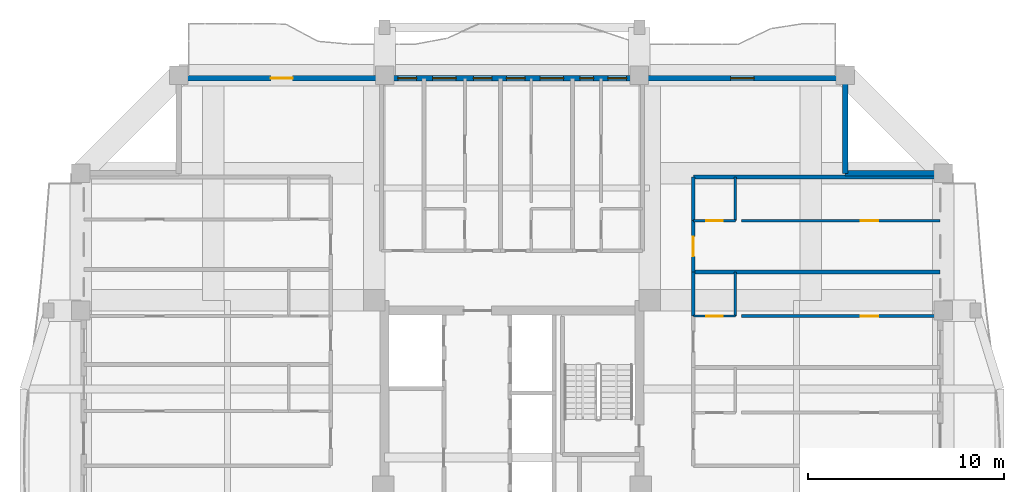
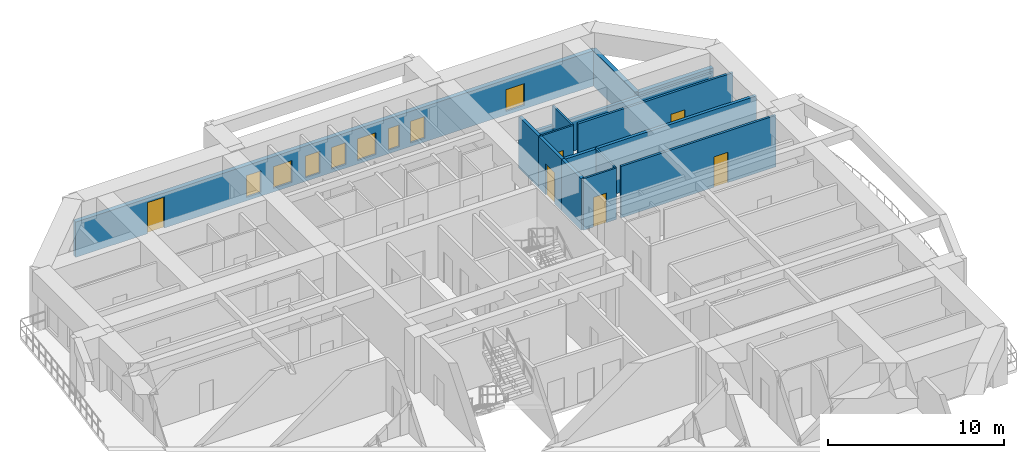
# One storey, part 8 of 15: 14 walls, 8 windows, 6 doors, 14 openings.
"""IFC4 building model written with IfcOpenShell, lengths in metres."""

from ifc_helpers import new_model, si_unit, direction, frame, frame_2d, origin, place, context, subcontext, project, spatial, rectangle, extrude, source, transform, mapped, material, layer, layer_set, type_object, element, fill, save


model = new_model("IFC4")

# Units and contexts
model_context = context("Model", 3, precision=1e-05, world=origin(), true_north=direction((0.0, 1.0)))
body_context = subcontext(model_context, "Body", "Model", "MODEL_VIEW")
ifc_project = project(units=[si_unit("LENGTHUNIT", "METRE"), si_unit("AREAUNIT", "SQUARE_METRE"), si_unit("VOLUMEUNIT", "CUBIC_METRE"), si_unit("PLANEANGLEUNIT", "RADIAN"), si_unit("MASSUNIT", "GRAM", prefix="KILO")], contexts=[model_context])

# Site, building, storey
site_placement = place(None, origin())
site = spatial("IfcSite", under=ifc_project, at=site_placement, CompositionType="ELEMENT")
building_placement = place(site_placement, origin())
building = spatial("IfcBuilding", under=site, at=building_placement, Name="Saelheon Loggia Tower", CompositionType="ELEMENT")
storey_placement = place(building_placement, frame((0.0, 0.0, 169.0)))
storey = spatial("IfcBuildingStorey", under=building, at=storey_placement, Name="L53", CompositionType="ELEMENT", Elevation=169.0)

# Wall, openings, windows, door
ifc_material_1 = material(Name="Architectural Precast Concrete C40/50", Category="concrete")
ifc_layer_1 = layer(ifc_material_1, 0.280029296875)
ifc_layer_set_1 = layer_set([ifc_layer_1], Name="Architectural Precast Concrete C40/50")
wall_type_1 = type_object("IfcWallType", Name="Wall_Ext_Loggia_280", PredefinedType="SOLIDWALL", material=ifc_layer_set_1)
wall_1_placement = place(storey_placement, frame((21.0, 47.860107421875, 0.0), z_axis=(0.0, 0.0, 1.0), x_axis=(1.0, 0.0, 0.0)))
wall_1 = element("IfcWall", 1, at=wall_1_placement, inside=storey, type_object=wall_type_1, Name="L53 North Loggia Inner Wall", PredefinedType="SOLIDWALL", context=body_context, shape_type="SweptSolid", body=[
    extrude(rectangle(XDim=34.0, YDim=0.280029296875, at=frame_2d((17.0, 0.0))), origin(), (0.0, 0.0, 1.0), 2.43994140625),
])
opening_1_placement = place(wall_1_placement, frame((4.699951171875, 0.0, 0.0)))
opening_1 = element("IfcOpeningElement", 2, at=opening_1_placement, cuts=wall_1, Name="Opening TD1", PredefinedType="OPENING", context=body_context, shape_type="SweptSolid", body=[
    extrude(rectangle(XDim=1.10009765625, YDim=2.14990234375, at=frame_2d((0.550048828125, 1.074951171875))), frame((0.0, 0.152099609375, 0.0), z_axis=(0.0, -1.0, 0.0), x_axis=(1.0, 0.0, 0.0)), (0.0, 0.0, 1.0), 0.303955078125),
])
opening_2_placement = place(wall_1_placement, frame((11.1826171875, 0.0, 0.25)))
opening_2 = element("IfcOpeningElement", 3, at=opening_2_placement, cuts=wall_1, Name="Opening WN-04", PredefinedType="OPENING", context=body_context, shape_type="SweptSolid", body=[
    extrude(rectangle(XDim=0.949951171875, YDim=1.5, at=frame_2d((0.47509765625, 0.75))), frame((0.0, 0.152099609375, 0.0), z_axis=(0.0, -1.0, 0.0), x_axis=(1.0, 0.0, 0.0)), (0.0, 0.0, 1.0), 0.303955078125),
])
opening_3_placement = place(wall_1_placement, frame((12.949951171875, 0.0, 0.25)))
opening_3 = element("IfcOpeningElement", 4, at=opening_3_placement, cuts=wall_1, Name="Opening WN-03", PredefinedType="OPENING", context=body_context, shape_type="SweptSolid", body=[
    extrude(rectangle(XDim=1.199951171875, YDim=1.5, at=frame_2d((0.60009765625, 0.75))), frame((0.0, 0.152099609375, 0.0), z_axis=(0.0, -1.0, 0.0), x_axis=(1.0, 0.0, 0.0)), (0.0, 0.0, 1.0), 0.303955078125),
])
opening_4_placement = place(wall_1_placement, frame((15.0263671875, 0.0, 0.25)))
opening_4 = element("IfcOpeningElement", 5, at=opening_4_placement, cuts=wall_1, Name="Opening WN-04", PredefinedType="OPENING", context=body_context, shape_type="SweptSolid", body=[
    extrude(rectangle(XDim=0.949951171875, YDim=1.5, at=frame_2d((0.47509765625, 0.75))), frame((0.0, 0.152099609375, 0.0), z_axis=(0.0, -1.0, 0.0), x_axis=(1.0, 0.0, 0.0)), (0.0, 0.0, 1.0), 0.303955078125),
])
opening_5_placement = place(wall_1_placement, frame((16.71728515625, 0.0, 0.25)))
opening_5 = element("IfcOpeningElement", 6, at=opening_5_placement, cuts=wall_1, Name="Opening WN-04", PredefinedType="OPENING", context=body_context, shape_type="SweptSolid", body=[
    extrude(rectangle(XDim=0.949951171875, YDim=1.5, at=frame_2d((0.47509765625, 0.75))), frame((0.0, 0.152099609375, 0.0), z_axis=(0.0, -1.0, 0.0), x_axis=(1.0, 0.0, 0.0)), (0.0, 0.0, 1.0), 0.303955078125),
])
opening_6_placement = place(wall_1_placement, frame((18.431884765625, 0.0, 0.25)))
opening_6 = element("IfcOpeningElement", 7, at=opening_6_placement, cuts=wall_1, Name="Opening WN-03", PredefinedType="OPENING", context=body_context, shape_type="SweptSolid", body=[
    extrude(rectangle(XDim=1.199951171875, YDim=1.5, at=frame_2d((0.60009765625, 0.75))), frame((0.0, 0.152099609375, 0.0), z_axis=(0.0, -1.0, 0.0), x_axis=(1.0, 0.0, 0.0)), (0.0, 0.0, 1.0), 0.303955078125),
])
opening_7_placement = place(wall_1_placement, frame((20.466064453125, 0.0, 0.25)))
opening_7 = element("IfcOpeningElement", 8, at=opening_7_placement, cuts=wall_1, Name="Opening WN-06", PredefinedType="OPENING", context=body_context, shape_type="SweptSolid", body=[
    extrude(rectangle(XDim=0.699951171875, YDim=1.5, at=frame_2d((0.35009765625, 0.75))), frame((0.0, 0.152099609375, 0.0), z_axis=(0.0, -1.0, 0.0), x_axis=(1.0, 0.0, 0.0)), (0.0, 0.0, 1.0), 0.303955078125),
])
opening_8_placement = place(wall_1_placement, frame((21.892578125, 0.0, 0.25)))
opening_8 = element("IfcOpeningElement", 9, at=opening_8_placement, cuts=wall_1, Name="Opening WN-04", PredefinedType="OPENING", context=body_context, shape_type="SweptSolid", body=[
    extrude(rectangle(XDim=0.949951171875, YDim=1.5, at=frame_2d((0.47509765625, 0.75))), frame((0.0, 0.152099609375, 0.0), z_axis=(0.0, -1.0, 0.0), x_axis=(1.0, 0.0, 0.0)), (0.0, 0.0, 1.0), 0.303955078125),
])
opening_9_placement = place(wall_1_placement, frame((28.14990234375, 0.0, 0.25)))
opening_9 = element("IfcOpeningElement", 10, at=opening_9_placement, cuts=wall_1, Name="Opening WN-03", PredefinedType="OPENING", context=body_context, shape_type="SweptSolid", body=[
    extrude(rectangle(XDim=1.199951171875, YDim=1.5, at=frame_2d((0.60009765625, 0.75))), frame((0.0, 0.152099609375, 0.0), z_axis=(0.0, -1.0, 0.0), x_axis=(1.0, 0.0, 0.0)), (0.0, 0.0, 1.0), 0.303955078125),
])
ifc_material_2 = material(Name="Thermal-Break Aluminium and Triple Low-E Glass", Category="aluminium")
window_type_1 = type_object("IfcWindowType", Name="Win_Slot_700x1500", PartitioningType="SINGLE_PANEL", PredefinedType="WINDOW", material=ifc_material_2)
shared_shape_1 = source(origin(), body_context, "Body", "SweptSolid", [
    extrude(rectangle(XDim=0.699951171875, YDim=1.5, at=frame_2d((0.35009765625, 0.75))), frame((0.0, 0.030029296875, 0.0), z_axis=(0.0, -1.0, 0.0), x_axis=(1.0, 0.0, 0.0)), (0.0, 0.0, 1.0), 0.06005859375),
])
window_1_placement = place(opening_7_placement, origin())
window_1 = element("IfcWindow", 11, at=window_1_placement, inside=storey, type_object=window_type_1, Name="L53 N Dwelling Window 7", OverallHeight=1.5, OverallWidth=0.699951171875, PartitioningType="SINGLE_PANEL", PredefinedType="WINDOW", context=body_context, shape_type="MappedRepresentation", body=[
    mapped(shared_shape_1, transform((0.0, 0.0, 0.0), scale=1.0)),
])
fill(opening_7, window_1)
window_type_2 = type_object("IfcWindowType", Name="Win_Bedroom_1200x1500", PartitioningType="SINGLE_PANEL", PredefinedType="WINDOW", material=ifc_material_2)
shared_shape_2 = source(origin(), body_context, "Body", "SweptSolid", [
    extrude(rectangle(XDim=1.199951171875, YDim=1.5, at=frame_2d((0.60009765625, 0.75))), frame((0.0, 0.030029296875, 0.0), z_axis=(0.0, -1.0, 0.0), x_axis=(1.0, 0.0, 0.0)), (0.0, 0.0, 1.0), 0.06005859375),
])
window_2_placement = place(opening_3_placement, origin())
window_2 = element("IfcWindow", 12, at=window_2_placement, inside=storey, type_object=window_type_2, Name="L53 N Dwelling Window 3", OverallHeight=1.5, OverallWidth=1.199951171875, PartitioningType="SINGLE_PANEL", PredefinedType="WINDOW", context=body_context, shape_type="MappedRepresentation", body=[
    mapped(shared_shape_2, transform((0.0, 0.0, 0.0), scale=1.0)),
])
fill(opening_3, window_2)
window_3_placement = place(opening_6_placement, origin())
window_3 = element("IfcWindow", 13, at=window_3_placement, inside=storey, type_object=window_type_2, Name="L53 N Dwelling Window 6", OverallHeight=1.5, OverallWidth=1.199951171875, PartitioningType="SINGLE_PANEL", PredefinedType="WINDOW", context=body_context, shape_type="MappedRepresentation", body=[
    mapped(shared_shape_2, transform((0.0, 0.0, 0.0), scale=1.0)),
])
fill(opening_6, window_3)
window_4_placement = place(opening_9_placement, origin())
window_4 = element("IfcWindow", 14, at=window_4_placement, inside=storey, type_object=window_type_2, Name="L53 N Dwelling Window 9", OverallHeight=1.5, OverallWidth=1.199951171875, PartitioningType="SINGLE_PANEL", PredefinedType="WINDOW", context=body_context, shape_type="MappedRepresentation", body=[
    mapped(shared_shape_2, transform((0.0, 0.0, 0.0), scale=1.0)),
])
fill(opening_9, window_4)
ifc_material_3 = material(Name="Thermal-Break Aluminium Glazed Door", Category="aluminium")
door_type_1 = type_object("IfcDoorType", Name="Door_Terrace_TD1", OperationType="NOTDEFINED", PredefinedType="DOOR", material=ifc_material_3)
shared_shape_3 = source(origin(), body_context, "Body", "SweptSolid", [
    extrude(rectangle(XDim=1.10009765625, YDim=2.14990234375, at=frame_2d((0.550048828125, 1.074951171875))), frame((0.0, 0.02490234375, 0.0), z_axis=(0.0, -1.0, 0.0), x_axis=(1.0, 0.0, 0.0)), (0.0, 0.0, 1.0), 0.050048828125),
])
door_1_placement = place(opening_1_placement, origin())
door_1 = element("IfcDoor", 15, at=door_1_placement, inside=storey, type_object=door_type_1, Name="L53 N Loggia Access Door", OperationType="SINGLE_SWING_LEFT", OverallHeight=2.14990234375, OverallWidth=1.10009765625, PredefinedType="DOOR", context=body_context, shape_type="MappedRepresentation", body=[
    mapped(shared_shape_3, transform((0.0, 0.0, 0.0), scale=1.0)),
])
fill(opening_1, door_1)
window_type_3 = type_object("IfcWindowType", Name="Win_Narrow_950x1500", PartitioningType="SINGLE_PANEL", PredefinedType="WINDOW", material=ifc_material_2)
shared_shape_4 = source(origin(), body_context, "Body", "SweptSolid", [
    extrude(rectangle(XDim=0.949951171875, YDim=1.5, at=frame_2d((0.47509765625, 0.75))), frame((0.0, 0.030029296875, 0.0), z_axis=(0.0, -1.0, 0.0), x_axis=(1.0, 0.0, 0.0)), (0.0, 0.0, 1.0), 0.06005859375),
])
window_5_placement = place(opening_2_placement, origin())
window_5 = element("IfcWindow", 16, at=window_5_placement, inside=storey, type_object=window_type_3, Name="L53 N Dwelling Window 2", OverallHeight=1.5, OverallWidth=0.949951171875, PartitioningType="SINGLE_PANEL", PredefinedType="WINDOW", context=body_context, shape_type="MappedRepresentation", body=[
    mapped(shared_shape_4, transform((0.0, 0.0, 0.0), scale=1.0)),
])
fill(opening_2, window_5)
window_6_placement = place(opening_4_placement, origin())
window_6 = element("IfcWindow", 17, at=window_6_placement, inside=storey, type_object=window_type_3, Name="L53 N Dwelling Window 4", OverallHeight=1.5, OverallWidth=0.949951171875, PartitioningType="SINGLE_PANEL", PredefinedType="WINDOW", context=body_context, shape_type="MappedRepresentation", body=[
    mapped(shared_shape_4, transform((0.0, 0.0, 0.0), scale=1.0)),
])
fill(opening_4, window_6)
window_7_placement = place(opening_5_placement, origin())
window_7 = element("IfcWindow", 18, at=window_7_placement, inside=storey, type_object=window_type_3, Name="L53 N Dwelling Window 5", OverallHeight=1.5, OverallWidth=0.949951171875, PartitioningType="SINGLE_PANEL", PredefinedType="WINDOW", context=body_context, shape_type="MappedRepresentation", body=[
    mapped(shared_shape_4, transform((0.0, 0.0, 0.0), scale=1.0)),
])
fill(opening_5, window_7)
window_8_placement = place(opening_8_placement, origin())
window_8 = element("IfcWindow", 19, at=window_8_placement, inside=storey, type_object=window_type_3, Name="L53 N Dwelling Window 8", OverallHeight=1.5, OverallWidth=0.949951171875, PartitioningType="SINGLE_PANEL", PredefinedType="WINDOW", context=body_context, shape_type="MappedRepresentation", body=[
    mapped(shared_shape_4, transform((0.0, 0.0, 0.0), scale=1.0)),
])
fill(opening_8, window_8)

# Walls
for number, where, z_axis, x_axis, name in (
    (20, (55.0, 43.0, 0.0), (0.0, 0.0, 1.0), (0.0, 1.0, 0.0), "L53 Corner Notch Precast Wall NE1"),
    (21, (55.0, 43.0, 0.0), (0.0, 0.0, 1.0), (1.0, 0.0, 0.0), "L53 Corner Notch Precast Wall NE2"),
):
    element("IfcWall", number, at=place(storey_placement, frame(where, z_axis=z_axis, x_axis=x_axis)), inside=storey, type_object=wall_type_1, Name=name, PredefinedType="SOLIDWALL", context=body_context, shape_type="SweptSolid", body=[
        extrude(rectangle(XDim=4.919921875, YDim=0.280029296875, at=frame_2d((2.4599609375, 0.0))), origin(), (0.0, 0.0, 1.0), 2.43994140625),
    ])

# Wall, opening, door
ifc_material_4 = material(Name="Lightweight Autoclaved Aerated Concrete Block and Acoustic Gypsum", Category="concrete")
ifc_layer_2 = layer(ifc_material_4, 0.14990234375)
ifc_layer_set_2 = layer_set([ifc_layer_2], Name="Lightweight Autoclaved Aerated Concrete Block and Acoustic Gypsum")
wall_type_2 = type_object("IfcWallType", Name="Wall_Part_150", PredefinedType="PARTITIONING", material=ifc_layer_set_2)
wall_2_placement = place(storey_placement, frame((49.7099609375, 35.719970703125, 0.0), z_axis=(0.0, 0.0, 1.0), x_axis=(1.0, 0.0, 0.0)))
wall_2 = element("IfcWall", 22, at=wall_2_placement, inside=storey, type_object=wall_type_2, Name="L53 EN Partition U13", PredefinedType="PARTITIONING", context=body_context, shape_type="SweptSolid", body=[
    extrude(rectangle(XDim=10.14013671875, YDim=0.14990234375, at=frame_2d((5.070068359375, 0.0))), origin(), (0.0, 0.0, 1.0), 3.56005859375),
])
opening_10_placement = place(wall_2_placement, frame((6.080078125, 0.0, 0.0)))
opening_10 = element("IfcOpeningElement", 23, at=opening_10_placement, cuts=wall_2, Name="Opening D-IN2", PredefinedType="OPENING", context=body_context, shape_type="SweptSolid", body=[
    extrude(rectangle(XDim=0.89990234375, YDim=2.10009765625, at=frame_2d((0.449951171875, 1.050048828125))), frame((0.0, 0.0869140625, 0.0), z_axis=(0.0, -1.0, 0.0), x_axis=(1.0, 0.0, 0.0)), (0.0, 0.0, 1.0), 0.173828125),
])
ifc_material_5 = material(Name="Engineered Oak Flush Door", Category="timber")
door_type_2 = type_object("IfcDoorType", Name="Door_Int_900", OperationType="NOTDEFINED", PredefinedType="DOOR", material=ifc_material_5)
shared_shape_5 = source(origin(), body_context, "Body", "SweptSolid", [
    extrude(rectangle(XDim=0.89990234375, YDim=2.10009765625, at=frame_2d((0.449951171875, 1.050048828125))), frame((0.0, 0.02490234375, 0.0), z_axis=(0.0, -1.0, 0.0), x_axis=(1.0, 0.0, 0.0)), (0.0, 0.0, 1.0), 0.050048828125),
])
door_2_placement = place(opening_10_placement, origin())
door_2 = element("IfcDoor", 24, at=door_2_placement, inside=storey, type_object=door_type_2, Name="Unit U17 Kitchen Door", OperationType="SINGLE_SWING_LEFT", OverallHeight=2.10009765625, OverallWidth=0.89990234375, PredefinedType="DOOR", context=body_context, shape_type="MappedRepresentation", body=[
    mapped(shared_shape_5, transform((0.0, 0.0, 0.0), scale=1.0)),
])
fill(opening_10, door_2)

wall_3_placement = place(storey_placement, frame((49.7099609375, 40.58251953125, 0.0), z_axis=(0.0, 0.0, 1.0), x_axis=(1.0, 0.0, 0.0)))
wall_3 = element("IfcWall", 25, at=wall_3_placement, inside=storey, type_object=wall_type_2, Name="L53 EN Partition U19", PredefinedType="PARTITIONING", context=body_context, shape_type="SweptSolid", body=[
    extrude(rectangle(XDim=10.14013671875, YDim=0.14990234375, at=frame_2d((5.070068359375, 0.0))), origin(), (0.0, 0.0, 1.0), 3.56005859375),
])
opening_11_placement = place(wall_3_placement, frame((6.080078125, 0.0, 0.0)))
opening_11 = element("IfcOpeningElement", 26, at=opening_11_placement, cuts=wall_3, Name="Opening D-IN2", PredefinedType="OPENING", context=body_context, shape_type="SweptSolid", body=[
    extrude(rectangle(XDim=0.89990234375, YDim=2.10009765625, at=frame_2d((0.449951171875, 1.050048828125))), frame((0.0, 0.0869140625, 0.0), z_axis=(0.0, -1.0, 0.0), x_axis=(1.0, 0.0, 0.0)), (0.0, 0.0, 1.0), 0.173828125),
])
door_3_placement = place(opening_11_placement, origin())
door_3 = element("IfcDoor", 27, at=door_3_placement, inside=storey, type_object=door_type_2, Name="Unit U18 Kitchen Door", OperationType="SINGLE_SWING_RIGHT", OverallHeight=2.10009765625, OverallWidth=0.89990234375, PredefinedType="DOOR", context=body_context, shape_type="MappedRepresentation", body=[
    mapped(shared_shape_5, transform((0.0, 0.0, 0.0), scale=1.0)),
])
fill(opening_11, door_3)

# Walls
ifc_material_6 = material(Name="Double Acoustic Stud and Fireboard Partition", Category="gypsum")
ifc_layer_3 = layer(ifc_material_6, 0.199951171875)
ifc_layer_set_3 = layer_set([ifc_layer_3], Name="Double Acoustic Stud and Fireboard Partition")
wall_type_3 = type_object("IfcWallType", Name="Wall_Party_200", PredefinedType="PARTITIONING", material=ifc_layer_set_3)
wall_4_placement = place(storey_placement, frame((47.25, 42.820068359375, 0.0), z_axis=(0.0, 0.0, 1.0), x_axis=(1.0, 0.0, 0.0)))
element("IfcWall", 28, at=wall_4_placement, inside=storey, type_object=wall_type_3, Name="L53 EN Partition U02", PredefinedType="PARTITIONING", context=body_context, shape_type="SweptSolid", body=[
    extrude(rectangle(XDim=12.60009765625, YDim=0.199951171875, at=frame_2d((6.300048828125, 0.0))), origin(), (0.0, 0.0, 1.0), 2.239990234375),
])
wall_5_placement = place(storey_placement, frame((47.25, 35.719970703125, 0.0), z_axis=(0.0, 0.0, 1.0), x_axis=(0.0, 1.0, 0.0)))
element("IfcWall", 29, at=wall_5_placement, inside=storey, type_object=wall_type_3, Name="L53 EN Partition V10", PredefinedType="PARTITIONING", context=body_context, shape_type="SweptSolid", body=[
    extrude(rectangle(XDim=2.23583984375, YDim=0.199951171875, at=frame_2d((1.117919921875, 0.0))), origin(), (0.0, 0.0, 1.0), 3.56005859375),
])
wall_6_placement = place(storey_placement, frame((47.25, 37.955810546875, 0.0), z_axis=(0.0, 0.0, 1.0), x_axis=(1.0, 0.0, 0.0)))
element("IfcWall", 30, at=wall_6_placement, inside=storey, type_object=wall_type_3, Name="L53 EN Partition U14", PredefinedType="PARTITIONING", context=body_context, shape_type="SweptSolid", body=[
    extrude(rectangle(XDim=12.60009765625, YDim=0.199951171875, at=frame_2d((6.300048828125, 0.0))), origin(), (0.0, 0.0, 1.0), 3.56005859375),
])

# Wall, opening, door
wall_7_placement = place(storey_placement, frame((47.25, 37.955810546875, 0.0), z_axis=(0.0, 0.0, 1.0), x_axis=(0.0, 1.0, 0.0)))
wall_7 = element("IfcWall", 31, at=wall_7_placement, inside=storey, type_object=wall_type_3, Name="L53 EN Partition V15", PredefinedType="PARTITIONING", context=body_context, shape_type="SweptSolid", body=[
    extrude(rectangle(XDim=2.626708984375, YDim=0.199951171875, at=frame_2d((1.3134765625, 0.0))), origin(), (0.0, 0.0, 1.0), 3.56005859375),
])
opening_12_placement = place(wall_7_placement, frame((0.813232421875, 0.0, 0.0)))
opening_12 = element("IfcOpeningElement", 32, at=opening_12_placement, cuts=wall_7, Name="Opening D-FD1", PredefinedType="OPENING", context=body_context, shape_type="SweptSolid", body=[
    extrude(rectangle(XDim=1.0, YDim=2.14990234375, at=frame_2d((0.5, 1.074951171875))), frame((0.0, 0.112060546875, 0.0), z_axis=(0.0, -1.0, 0.0), x_axis=(1.0, 0.0, 0.0)), (0.0, 0.0, 1.0), 0.223876953125),
])
ifc_material_7 = material(Name="Fire-Rated Engineered Timber Entrance Door", Category="wood")
door_type_3 = type_object("IfcDoorType", Name="Door_Flat_FD30S", OperationType="NOTDEFINED", PredefinedType="DOOR", material=ifc_material_7)
shared_shape_6 = source(origin(), body_context, "Body", "SweptSolid", [
    extrude(rectangle(XDim=1.0, YDim=2.14990234375, at=frame_2d((0.5, 1.074951171875))), frame((0.0, 0.02490234375, 0.0), z_axis=(0.0, -1.0, 0.0), x_axis=(1.0, 0.0, 0.0)), (0.0, 0.0, 1.0), 0.050048828125),
])
door_4_placement = place(opening_12_placement, origin())
door_4 = element("IfcDoor", 33, at=door_4_placement, inside=storey, type_object=door_type_3, Name="Unit U18 Entrance Door", OperationType="SINGLE_SWING_RIGHT", OverallHeight=2.14990234375, OverallWidth=1.0, PredefinedType="DOOR", context=body_context, shape_type="MappedRepresentation", body=[
    mapped(shared_shape_6, transform((0.0, 0.0, 0.0), scale=1.0)),
])
fill(opening_12, door_4)

# Wall
wall_8_placement = place(storey_placement, frame((47.25, 40.58251953125, 0.0), z_axis=(0.0, 0.0, 1.0), x_axis=(0.0, 1.0, 0.0)))
element("IfcWall", 34, at=wall_8_placement, inside=storey, type_object=wall_type_3, Name="L53 EN Partition V16", PredefinedType="PARTITIONING", context=body_context, shape_type="SweptSolid", body=[
    extrude(rectangle(XDim=2.237548828125, YDim=0.199951171875, at=frame_2d((1.11865234375, 0.0))), origin(), (0.0, 0.0, 1.0), 3.56005859375),
])

# Wall, opening, door
ifc_material_8 = material(Name="Moisture-Resistant Cement Board Partition", Category="gypsum")
ifc_layer_4 = layer(ifc_material_8, 0.1201171875)
ifc_layer_set_4 = layer_set([ifc_layer_4], Name="Moisture-Resistant Cement Board Partition")
wall_type_4 = type_object("IfcWallType", Name="Wall_WetPart_120", PredefinedType="PARTITIONING", material=ifc_layer_set_4)
wall_9_placement = place(storey_placement, frame((47.25, 35.719970703125, 0.0), z_axis=(0.0, 0.0, 1.0), x_axis=(1.0, 0.0, 0.0)))
wall_9 = element("IfcWall", 35, at=wall_9_placement, inside=storey, type_object=wall_type_4, Name="L53 EN Partition U11", PredefinedType="PARTITIONING", context=body_context, shape_type="SweptSolid", body=[
    extrude(rectangle(XDim=2.14990234375, YDim=0.1201171875, at=frame_2d((1.074951171875, 0.0))), origin(), (0.0, 0.0, 1.0), 3.56005859375),
])
opening_13_placement = place(wall_9_placement, frame((0.64990234375, 0.0, 0.0)))
opening_13 = element("IfcOpeningElement", 36, at=opening_13_placement, cuts=wall_9, Name="Opening D-BT1", PredefinedType="OPENING", context=body_context, shape_type="SweptSolid", body=[
    extrude(rectangle(XDim=0.85009765625, YDim=2.050048828125, at=frame_2d((0.425048828125, 1.02490234375))), frame((0.0, 0.072021484375, 0.0), z_axis=(0.0, -1.0, 0.0), x_axis=(1.0, 0.0, 0.0)), (0.0, 0.0, 1.0), 0.14404296875),
])
ifc_material_9 = material(Name="Moisture-Resistant Laminate Timber Door", Category="wood")
door_type_4 = type_object("IfcDoorType", Name="Door_Bath_850", OperationType="NOTDEFINED", PredefinedType="DOOR", material=ifc_material_9)
shared_shape_7 = source(origin(), body_context, "Body", "SweptSolid", [
    extrude(rectangle(XDim=0.85009765625, YDim=2.050048828125, at=frame_2d((0.425048828125, 1.02490234375))), frame((0.0, 0.02490234375, 0.0), z_axis=(0.0, -1.0, 0.0), x_axis=(1.0, 0.0, 0.0)), (0.0, 0.0, 1.0), 0.050048828125),
])
door_5_placement = place(opening_13_placement, origin())
door_5 = element("IfcDoor", 37, at=door_5_placement, inside=storey, type_object=door_type_4, Name="Unit U17 Bathroom Door", OperationType="SINGLE_SWING_RIGHT", OverallHeight=2.050048828125, OverallWidth=0.85009765625, PredefinedType="DOOR", context=body_context, shape_type="MappedRepresentation", body=[
    mapped(shared_shape_7, transform((0.0, 0.0, 0.0), scale=1.0)),
])
fill(opening_13, door_5)

# Wall
wall_10_placement = place(storey_placement, frame((49.39990234375, 35.719970703125, 0.0), z_axis=(0.0, 0.0, 1.0), x_axis=(0.0, 1.0, 0.0)))
element("IfcWall", 38, at=wall_10_placement, inside=storey, type_object=wall_type_4, Name="L53 EN Partition V12", PredefinedType="PARTITIONING", context=body_context, shape_type="SweptSolid", body=[
    extrude(rectangle(XDim=2.23583984375, YDim=0.1201171875, at=frame_2d((1.117919921875, 0.0))), origin(), (0.0, 0.0, 1.0), 3.56005859375),
])

# Wall, opening, door
wall_11_placement = place(storey_placement, frame((47.25, 40.58251953125, 0.0), z_axis=(0.0, 0.0, 1.0), x_axis=(1.0, 0.0, 0.0)))
wall_11 = element("IfcWall", 39, at=wall_11_placement, inside=storey, type_object=wall_type_4, Name="L53 EN Partition U17", PredefinedType="PARTITIONING", context=body_context, shape_type="SweptSolid", body=[
    extrude(rectangle(XDim=2.14990234375, YDim=0.1201171875, at=frame_2d((1.074951171875, 0.0))), origin(), (0.0, 0.0, 1.0), 3.56005859375),
])
opening_14_placement = place(wall_11_placement, frame((0.64990234375, 0.0, 0.0)))
opening_14 = element("IfcOpeningElement", 40, at=opening_14_placement, cuts=wall_11, Name="Opening D-BT1", PredefinedType="OPENING", context=body_context, shape_type="SweptSolid", body=[
    extrude(rectangle(XDim=0.85009765625, YDim=2.050048828125, at=frame_2d((0.425048828125, 1.02490234375))), frame((0.0, 0.072021484375, 0.0), z_axis=(0.0, -1.0, 0.0), x_axis=(1.0, 0.0, 0.0)), (0.0, 0.0, 1.0), 0.14404296875),
])
door_6_placement = place(opening_14_placement, origin())
door_6 = element("IfcDoor", 41, at=door_6_placement, inside=storey, type_object=door_type_4, Name="Unit U18 Bathroom Door", OperationType="SINGLE_SWING_LEFT", OverallHeight=2.050048828125, OverallWidth=0.85009765625, PredefinedType="DOOR", context=body_context, shape_type="MappedRepresentation", body=[
    mapped(shared_shape_7, transform((0.0, 0.0, 0.0), scale=1.0)),
])
fill(opening_14, door_6)

# Wall
wall_12_placement = place(storey_placement, frame((49.39990234375, 40.58251953125, 0.0), z_axis=(0.0, 0.0, 1.0), x_axis=(0.0, 1.0, 0.0)))
element("IfcWall", 42, at=wall_12_placement, inside=storey, type_object=wall_type_4, Name="L53 EN Partition V18", PredefinedType="PARTITIONING", context=body_context, shape_type="SweptSolid", body=[
    extrude(rectangle(XDim=2.237548828125, YDim=0.1201171875, at=frame_2d((1.11865234375, 0.0))), origin(), (0.0, 0.0, 1.0), 3.56005859375),
])

save(model, "model.ifc")
